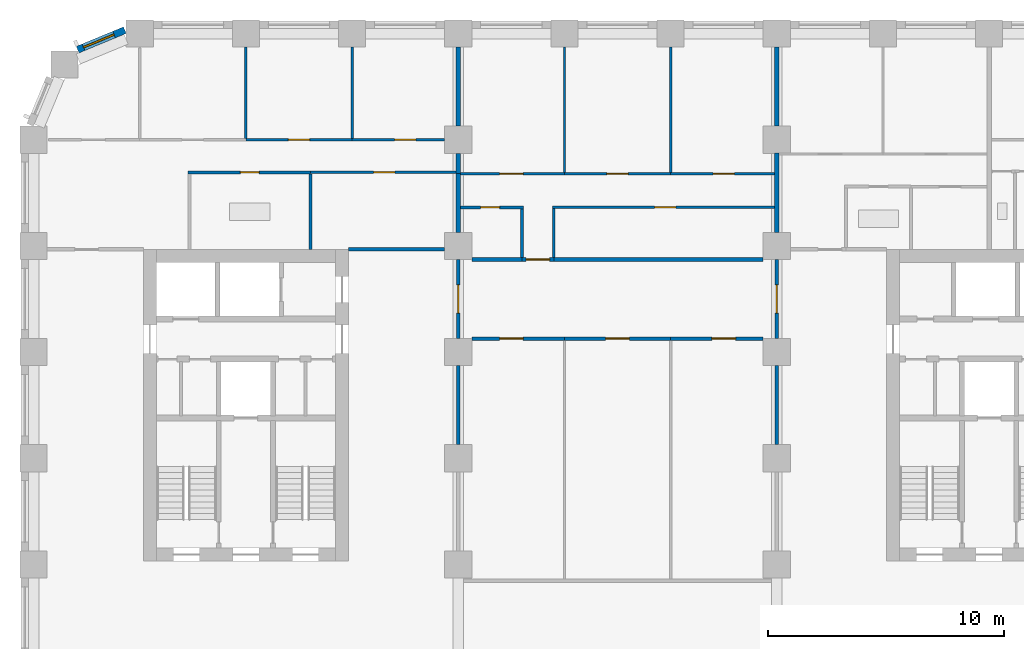
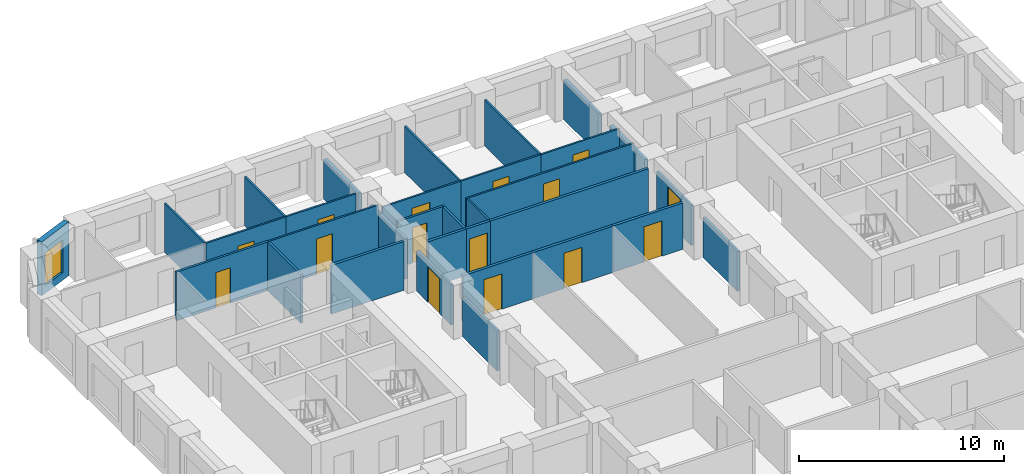
# One storey, part 7 of 13: 33 walls, 15 doors, 1 window, 16 openings.
"""IFC4 building model written with IfcOpenShell, lengths in metres."""

from ifc_helpers import new_model, si_unit, direction, frame, frame_2d, origin, place, context, subcontext, project, spatial, rectangle, extrude, material, layer, layer_set, type_object, element, fill, save


model = new_model("IFC4")

# Units and contexts
model_context = context("Model", 3, precision=1e-05, world=origin(), true_north=direction((0.0, 1.0)))
body_context = subcontext(model_context, "Body", "Model", "MODEL_VIEW")
ifc_project = project(units=[si_unit("LENGTHUNIT", "METRE"), si_unit("AREAUNIT", "SQUARE_METRE"), si_unit("VOLUMEUNIT", "CUBIC_METRE"), si_unit("PLANEANGLEUNIT", "RADIAN"), si_unit("MASSUNIT", "GRAM", prefix="KILO")], contexts=[model_context])

# Site, building, storey
site_placement = place(None, origin())
site = spatial("IfcSite", under=ifc_project, at=site_placement, CompositionType="ELEMENT")
building_placement = place(site_placement, origin())
building = spatial("IfcBuilding", under=site, at=building_placement, Name="Girih Gate Residences", CompositionType="ELEMENT")
storey_placement = place(building_placement, frame((0.0, 0.0, 92.800048828125)))
storey = spatial("IfcBuildingStorey", under=building, at=storey_placement, Name="L25", CompositionType="ELEMENT", Elevation=92.800048828125)

# Walls
ifc_material_1 = material(Name="Gypsum board on steel studs", Category="steel")
ifc_layer_1 = layer(ifc_material_1, 0.14990234375)
ifc_layer_set_1 = layer_set([ifc_layer_1], Name="Compartment wall 150 mm")
wall_type_1 = type_object("IfcWallType", Name="Compartment wall 150 mm", PredefinedType="PARTITIONING", material=ifc_layer_set_1)
wall_1_placement = place(storey_placement, frame((13.35009765625, 40.35009765625, 0.0), z_axis=(0.0, 0.0, 1.0), x_axis=(1.0, 0.0, 0.0)))
element("IfcWall", 1, at=wall_1_placement, inside=storey, type_object=wall_type_1, Name="L25 partition", PredefinedType="PARTITIONING", context=body_context, shape_type="SweptSolid", body=[
    extrude(rectangle(XDim=4.074951171875, YDim=0.14990234375, at=frame_2d((2.03759765625, 0.0))), origin(), (0.0, 0.0, 1.0), 2.89990234375),
])
wall_2_placement = place(storey_placement, frame((18.574951171875, 39.925048828125, 0.0), z_axis=(0.0, 0.0, 1.0), x_axis=(1.0, 0.0, 0.0)))
element("IfcWall", 2, at=wall_2_placement, inside=storey, type_object=wall_type_1, Name="L25 partition", PredefinedType="PARTITIONING", context=body_context, shape_type="SweptSolid", body=[
    extrude(rectangle(XDim=2.125, YDim=0.14990234375, at=frame_2d((1.0625, 0.0))), origin(), (0.0, 0.0, 1.0), 2.75),
])

# Wall, opening, door
wall_3_placement = place(storey_placement, frame((20.699951171875, 39.925048828125, 0.0), z_axis=(0.0, 0.0, 1.0), x_axis=(1.0, 0.0, 0.0)))
wall_3 = element("IfcWall", 3, at=wall_3_placement, inside=storey, type_object=wall_type_1, Name="L25 partition", PredefinedType="PARTITIONING", context=body_context, shape_type="SweptSolid", body=[
    extrude(rectangle(XDim=1.35009765625, YDim=0.14990234375, at=frame_2d((0.675048828125, 0.0))), origin(), (0.0, 0.0, 1.0), 2.75),
])
opening_1_placement = place(wall_3_placement, frame((0.175048828125, 0.0, 0.0)))
opening_1 = element("IfcOpeningElement", 4, at=opening_1_placement, cuts=wall_3, Name="Opening A25-040", PredefinedType="OPENING", context=body_context, shape_type="SweptSolid", body=[
    extrude(rectangle(XDim=1.0, YDim=2.10009765625, at=frame_2d((0.5, 1.050048828125))), frame((0.0, 0.0849609375, 0.0), z_axis=(0.0, -1.0, 0.0), x_axis=(1.0, 0.0, 0.0)), (0.0, 0.0, 1.0), 0.169921875),
])
ifc_material_2 = material(Name="Timber, fire-rated core", Category="wood")
door_type_1 = type_object("IfcDoorType", Name="Flat entrance door 1000x2100 FD30S", OperationType="NOTDEFINED", PredefinedType="DOOR", material=ifc_material_2)
door_1_placement = place(opening_1_placement, origin())
door_1 = element("IfcDoor", 5, at=door_1_placement, inside=storey, type_object=door_type_1, Name="Door A25-040", OperationType="SINGLE_SWING_RIGHT", OverallHeight=2.10009765625, OverallWidth=1.0, PredefinedType="DOOR", context=body_context, shape_type="SweptSolid", body=[
    extrude(rectangle(XDim=1.0, YDim=2.10009765625, at=frame_2d((0.5, 1.050048828125))), frame((0.0, 0.02490234375, 0.0), z_axis=(0.0, -1.0, 0.0), x_axis=(1.0, 0.0, 0.0)), (0.0, 0.0, 1.0), 0.050048828125),
])
fill(opening_1, door_1)

# Wall
wall_4_placement = place(storey_placement, frame((22.050048828125, 39.925048828125, 0.0), z_axis=(0.0, 0.0, 1.0), x_axis=(1.0, 0.0, 0.0)))
element("IfcWall", 6, at=wall_4_placement, inside=storey, type_object=wall_type_1, Name="L25 partition", PredefinedType="PARTITIONING", context=body_context, shape_type="SweptSolid", body=[
    extrude(rectangle(XDim=8.875, YDim=0.14990234375, at=frame_2d((4.4375, 0.0))), origin(), (0.0, 0.0, 1.0), 2.75),
])

# Wall, opening, door
wall_5_placement = place(storey_placement, frame((22.5, 36.574951171875, 0.0), z_axis=(0.0, 0.0, 1.0), x_axis=(-1.0, 0.0, 0.0)))
wall_5 = element("IfcWall", 7, at=wall_5_placement, inside=storey, type_object=wall_type_1, Name="L25 partition", PredefinedType="PARTITIONING", context=body_context, shape_type="SweptSolid", body=[
    extrude(rectangle(XDim=3.925048828125, YDim=0.14990234375, at=frame_2d((1.96240234375, 0.0))), origin(), (0.0, 0.0, 1.0), 2.75),
])
opening_2_placement = place(wall_5_placement, frame((1.75, 0.0, 0.0)))
opening_2 = element("IfcOpeningElement", 8, at=opening_2_placement, cuts=wall_5, Name="Opening A25-041", PredefinedType="OPENING", context=body_context, shape_type="SweptSolid", body=[
    extrude(rectangle(XDim=1.0, YDim=2.10009765625, at=frame_2d((0.5, 1.050048828125))), frame((0.0, 0.0849609375, 0.0), z_axis=(0.0, -1.0, 0.0), x_axis=(1.0, 0.0, 0.0)), (0.0, 0.0, 1.0), 0.169921875),
])
door_type_2 = type_object("IfcDoorType", Name="Amenity room door 1000x2100 FD30S", OperationType="NOTDEFINED", PredefinedType="DOOR", material=ifc_material_2)
door_2_placement = place(opening_2_placement, origin())
door_2 = element("IfcDoor", 9, at=door_2_placement, inside=storey, type_object=door_type_2, Name="Door A25-041", OperationType="SINGLE_SWING_RIGHT", OverallHeight=2.10009765625, OverallWidth=1.0, PredefinedType="DOOR", context=body_context, shape_type="SweptSolid", body=[
    extrude(rectangle(XDim=1.0, YDim=2.10009765625, at=frame_2d((0.5, 1.050048828125))), frame((0.0, 0.02490234375, 0.0), z_axis=(0.0, -1.0, 0.0), x_axis=(1.0, 0.0, 0.0)), (0.0, 0.0, 1.0), 0.050048828125),
])
fill(opening_2, door_2)

wall_6_placement = place(storey_placement, frame((27.0, 36.574951171875, 0.0), z_axis=(0.0, 0.0, 1.0), x_axis=(-1.0, 0.0, 0.0)))
wall_6 = element("IfcWall", 10, at=wall_6_placement, inside=storey, type_object=wall_type_1, Name="L25 partition", PredefinedType="PARTITIONING", context=body_context, shape_type="SweptSolid", body=[
    extrude(rectangle(XDim=4.5, YDim=0.14990234375, at=frame_2d((2.25, 0.0))), origin(), (0.0, 0.0, 1.0), 2.75),
])
opening_3_placement = place(wall_6_placement, frame((1.75, 0.0, 0.0)))
opening_3 = element("IfcOpeningElement", 11, at=opening_3_placement, cuts=wall_6, Name="Opening A25-042", PredefinedType="OPENING", context=body_context, shape_type="SweptSolid", body=[
    extrude(rectangle(XDim=1.0, YDim=2.10009765625, at=frame_2d((0.5, 1.050048828125))), frame((0.0, 0.0849609375, 0.0), z_axis=(0.0, -1.0, 0.0), x_axis=(1.0, 0.0, 0.0)), (0.0, 0.0, 1.0), 0.169921875),
])
door_3_placement = place(opening_3_placement, origin())
door_3 = element("IfcDoor", 12, at=door_3_placement, inside=storey, type_object=door_type_2, Name="Door A25-042", OperationType="SINGLE_SWING_RIGHT", OverallHeight=2.10009765625, OverallWidth=1.0, PredefinedType="DOOR", context=body_context, shape_type="SweptSolid", body=[
    extrude(rectangle(XDim=1.0, YDim=2.10009765625, at=frame_2d((0.5, 1.050048828125))), frame((0.0, 0.02490234375, 0.0), z_axis=(0.0, -1.0, 0.0), x_axis=(1.0, 0.0, 0.0)), (0.0, 0.0, 1.0), 0.050048828125),
])
fill(opening_3, door_3)

wall_7_placement = place(storey_placement, frame((30.925048828125, 36.574951171875, 0.0), z_axis=(0.0, 0.0, 1.0), x_axis=(-1.0, 0.0, 0.0)))
wall_7 = element("IfcWall", 13, at=wall_7_placement, inside=storey, type_object=wall_type_1, Name="L25 partition", PredefinedType="PARTITIONING", context=body_context, shape_type="SweptSolid", body=[
    extrude(rectangle(XDim=3.925048828125, YDim=0.14990234375, at=frame_2d((1.96240234375, 0.0))), origin(), (0.0, 0.0, 1.0), 2.75),
])
opening_4_placement = place(wall_7_placement, frame((1.175048828125, 0.0, 0.0)))
opening_4 = element("IfcOpeningElement", 14, at=opening_4_placement, cuts=wall_7, Name="Opening A25-043", PredefinedType="OPENING", context=body_context, shape_type="SweptSolid", body=[
    extrude(rectangle(XDim=1.0, YDim=2.10009765625, at=frame_2d((0.5, 1.050048828125))), frame((0.0, 0.0849609375, 0.0), z_axis=(0.0, -1.0, 0.0), x_axis=(1.0, 0.0, 0.0)), (0.0, 0.0, 1.0), 0.169921875),
])
door_4_placement = place(opening_4_placement, origin())
door_4 = element("IfcDoor", 15, at=door_4_placement, inside=storey, type_object=door_type_2, Name="Door A25-043", OperationType="SINGLE_SWING_LEFT", OverallHeight=2.10009765625, OverallWidth=1.0, PredefinedType="DOOR", context=body_context, shape_type="SweptSolid", body=[
    extrude(rectangle(XDim=1.0, YDim=2.10009765625, at=frame_2d((0.5, 1.050048828125))), frame((0.0, 0.02490234375, 0.0), z_axis=(0.0, -1.0, 0.0), x_axis=(1.0, 0.0, 0.0)), (0.0, 0.0, 1.0), 0.050048828125),
])
fill(opening_4, door_4)

wall_8_placement = place(storey_placement, frame((31.5, 36.574951171875, 0.0), z_axis=(0.0, 0.0, 1.0), x_axis=(0.0, 1.0, 0.0)))
wall_8 = element("IfcWall", 16, at=wall_8_placement, inside=storey, type_object=wall_type_1, Name="L25 partition", PredefinedType="PARTITIONING", context=body_context, shape_type="SweptSolid", body=[
    extrude(rectangle(XDim=3.35009765625, YDim=0.14990234375, at=frame_2d((1.675048828125, 0.0))), origin(), (0.0, 0.0, 1.0), 2.3798828125),
])
opening_5_placement = place(wall_8_placement, frame((1.074951171875, 0.0, 0.0)))
opening_5 = element("IfcOpeningElement", 17, at=opening_5_placement, cuts=wall_8, Name="Opening A25-044", PredefinedType="OPENING", context=body_context, shape_type="SweptSolid", body=[
    extrude(rectangle(XDim=1.199951171875, YDim=2.10009765625, at=frame_2d((0.60009765625, 1.050048828125))), frame((0.0, 0.0849609375, 0.0), z_axis=(0.0, -1.0, 0.0), x_axis=(1.0, 0.0, 0.0)), (0.0, 0.0, 1.0), 0.169921875),
])
door_type_3 = type_object("IfcDoorType", Name="Corridor fire door 1200x2100 FD30S", OperationType="NOTDEFINED", PredefinedType="DOOR", material=ifc_material_2)
door_5_placement = place(opening_5_placement, origin())
door_5 = element("IfcDoor", 18, at=door_5_placement, inside=storey, type_object=door_type_3, Name="Door A25-044", OperationType="SINGLE_SWING_LEFT", OverallHeight=2.10009765625, OverallWidth=1.199951171875, PredefinedType="DOOR", context=body_context, shape_type="SweptSolid", body=[
    extrude(rectangle(XDim=1.199951171875, YDim=2.10009765625, at=frame_2d((0.60009765625, 1.050048828125))), frame((0.0, 0.02490234375, 0.0), z_axis=(0.0, -1.0, 0.0), x_axis=(1.0, 0.0, 0.0)), (0.0, 0.0, 1.0), 0.050048828125),
])
fill(opening_5, door_5)

wall_9_placement = place(storey_placement, frame((18.0, 39.925048828125, 0.0), z_axis=(0.0, 0.0, 1.0), x_axis=(0.0, -1.0, 0.0)))
wall_9 = element("IfcWall", 19, at=wall_9_placement, inside=storey, type_object=wall_type_1, Name="L25 partition", PredefinedType="PARTITIONING", context=body_context, shape_type="SweptSolid", body=[
    extrude(rectangle(XDim=3.35009765625, YDim=0.14990234375, at=frame_2d((1.675048828125, 0.0))), origin(), (0.0, 0.0, 1.0), 2.3798828125),
])
opening_6_placement = place(wall_9_placement, frame((1.074951171875, 0.0, 0.0)))
opening_6 = element("IfcOpeningElement", 20, at=opening_6_placement, cuts=wall_9, Name="Opening A25-045", PredefinedType="OPENING", context=body_context, shape_type="SweptSolid", body=[
    extrude(rectangle(XDim=1.199951171875, YDim=2.10009765625, at=frame_2d((0.60009765625, 1.050048828125))), frame((0.0, 0.0849609375, 0.0), z_axis=(0.0, -1.0, 0.0), x_axis=(1.0, 0.0, 0.0)), (0.0, 0.0, 1.0), 0.169921875),
])
door_6_placement = place(opening_6_placement, origin())
door_6 = element("IfcDoor", 21, at=door_6_placement, inside=storey, type_object=door_type_3, Name="Door A25-045", OperationType="SINGLE_SWING_LEFT", OverallHeight=2.10009765625, OverallWidth=1.199951171875, PredefinedType="DOOR", context=body_context, shape_type="SweptSolid", body=[
    extrude(rectangle(XDim=1.199951171875, YDim=2.10009765625, at=frame_2d((0.60009765625, 1.050048828125))), frame((0.0, 0.02490234375, 0.0), z_axis=(0.0, -1.0, 0.0), x_axis=(1.0, 0.0, 0.0)), (0.0, 0.0, 1.0), 0.050048828125),
])
fill(opening_6, door_6)

# Walls
for number, where, z_axis, x_axis, name in (
    (22, (18.0, 32.074951171875, 0.0), (0.0, 0.0, 1.0), (0.0, 1.0, 0.0), "L25 partition"),
    (23, (31.5, 32.074951171875, 0.0), (0.0, 0.0, 1.0), (0.0, 1.0, 0.0), "L25 partition"),
):
    element("IfcWall", number, at=place(storey_placement, frame(where, z_axis=z_axis, x_axis=x_axis)), inside=storey, type_object=wall_type_1, Name=name, PredefinedType="PARTITIONING", context=body_context, shape_type="SweptSolid", body=[
        extrude(rectangle(XDim=3.35009765625, YDim=0.14990234375, at=frame_2d((1.675048828125, 0.0))), origin(), (0.0, 0.0, 1.0), 2.3798828125),
    ])
ifc_layer_2 = layer(ifc_material_1, 0.10009765625)
ifc_layer_set_2 = layer_set([ifc_layer_2], Name="Partition 100 mm")
wall_type_2 = type_object("IfcWallType", Name="Partition 100 mm", PredefinedType="PARTITIONING", material=ifc_layer_set_2)
for number, where, z_axis, x_axis, name in (
    (24, (9.0, 45.050048828125, 0.0), (0.0, 0.0, 1.0), (0.0, 1.0, 0.0), "L25 partition"),
    (25, (13.5, 45.050048828125, 0.0), (0.0, 0.0, 1.0), (0.0, 1.0, 0.0), "L25 partition"),
):
    element("IfcWall", number, at=place(storey_placement, frame(where, z_axis=z_axis, x_axis=x_axis)), inside=storey, type_object=wall_type_2, Name=name, PredefinedType="PARTITIONING", context=body_context, shape_type="SweptSolid", body=[
        extrude(rectangle(XDim=3.875, YDim=0.10009765625, at=frame_2d((1.9375, 0.0))), origin(), (0.0, 0.0, 1.0), 2.89990234375),
    ])

# Wall, opening, door
wall_10_placement = place(storey_placement, frame((9.0, 45.0, 0.0), z_axis=(0.0, 0.0, 1.0), x_axis=(1.0, 0.0, 0.0)))
wall_10 = element("IfcWall", 26, at=wall_10_placement, inside=storey, type_object=wall_type_2, Name="L25 partition", PredefinedType="PARTITIONING", context=body_context, shape_type="SweptSolid", body=[
    extrude(rectangle(XDim=4.5, YDim=0.10009765625, at=frame_2d((2.25, 0.0))), origin(), (0.0, 0.0, 1.0), 2.89990234375),
])
opening_7_placement = place(wall_10_placement, frame((1.800048828125, 0.0, 0.0)))
opening_7 = element("IfcOpeningElement", 27, at=opening_7_placement, cuts=wall_10, Name="Opening A25-010", PredefinedType="OPENING", context=body_context, shape_type="SweptSolid", body=[
    extrude(rectangle(XDim=0.89990234375, YDim=2.10009765625, at=frame_2d((0.449951171875, 1.050048828125))), frame((0.0, 0.06005859375, 0.0), z_axis=(0.0, -1.0, 0.0), x_axis=(1.0, 0.0, 0.0)), (0.0, 0.0, 1.0), 0.1201171875),
])
ifc_material_3 = material(Name="Timber", Category="wood")
door_type_4 = type_object("IfcDoorType", Name="Bedroom door 900x2100", OperationType="NOTDEFINED", PredefinedType="DOOR", material=ifc_material_3)
door_7_placement = place(opening_7_placement, origin())
door_7 = element("IfcDoor", 28, at=door_7_placement, inside=storey, type_object=door_type_4, Name="Door A25-010", OperationType="SINGLE_SWING_LEFT", OverallHeight=2.10009765625, OverallWidth=0.89990234375, PredefinedType="DOOR", context=body_context, shape_type="SweptSolid", body=[
    extrude(rectangle(XDim=0.89990234375, YDim=2.10009765625, at=frame_2d((0.449951171875, 1.050048828125))), frame((0.0, 0.02490234375, 0.0), z_axis=(0.0, -1.0, 0.0), x_axis=(1.0, 0.0, 0.0)), (0.0, 0.0, 1.0), 0.050048828125),
])
fill(opening_7, door_7)

wall_11_placement = place(storey_placement, frame((13.5, 45.0, 0.0), z_axis=(0.0, 0.0, 1.0), x_axis=(1.0, 0.0, 0.0)))
wall_11 = element("IfcWall", 29, at=wall_11_placement, inside=storey, type_object=wall_type_2, Name="L25 partition", PredefinedType="PARTITIONING", context=body_context, shape_type="SweptSolid", body=[
    extrude(rectangle(XDim=3.925048828125, YDim=0.10009765625, at=frame_2d((1.96240234375, 0.0))), origin(), (0.0, 0.0, 1.0), 2.89990234375),
])
opening_8_placement = place(wall_11_placement, frame((1.800048828125, 0.0, 0.0)))
opening_8 = element("IfcOpeningElement", 30, at=opening_8_placement, cuts=wall_11, Name="Opening A25-011", PredefinedType="OPENING", context=body_context, shape_type="SweptSolid", body=[
    extrude(rectangle(XDim=0.89990234375, YDim=2.10009765625, at=frame_2d((0.449951171875, 1.050048828125))), frame((0.0, 0.06005859375, 0.0), z_axis=(0.0, -1.0, 0.0), x_axis=(1.0, 0.0, 0.0)), (0.0, 0.0, 1.0), 0.1201171875),
])
door_8_placement = place(opening_8_placement, origin())
door_8 = element("IfcDoor", 31, at=door_8_placement, inside=storey, type_object=door_type_4, Name="Door A25-011", OperationType="SINGLE_SWING_RIGHT", OverallHeight=2.10009765625, OverallWidth=0.89990234375, PredefinedType="DOOR", context=body_context, shape_type="SweptSolid", body=[
    extrude(rectangle(XDim=0.89990234375, YDim=2.10009765625, at=frame_2d((0.449951171875, 1.050048828125))), frame((0.0, 0.02490234375, 0.0), z_axis=(0.0, -1.0, 0.0), x_axis=(1.0, 0.0, 0.0)), (0.0, 0.0, 1.0), 0.050048828125),
])
fill(opening_8, door_8)

wall_12_placement = place(storey_placement, frame((17.89990234375, 43.6201171875, 0.0), z_axis=(0.0, 0.0, 1.0), x_axis=(-1.0, 0.0, 0.0)))
wall_12 = element("IfcWall", 32, at=wall_12_placement, inside=storey, type_object=wall_type_2, Name="L25 partition", PredefinedType="PARTITIONING", context=body_context, shape_type="SweptSolid", body=[
    extrude(rectangle(XDim=6.171875, YDim=0.10009765625, at=frame_2d((3.0859375, 0.0))), origin(), (0.0, 0.0, 1.0), 2.89990234375),
])
opening_9_placement = place(wall_12_placement, frame((2.5859375, 0.0, 0.0)))
opening_9 = element("IfcOpeningElement", 33, at=opening_9_placement, cuts=wall_12, Name="Opening A25-012", PredefinedType="OPENING", context=body_context, shape_type="SweptSolid", body=[
    extrude(rectangle(XDim=0.89990234375, YDim=2.10009765625, at=frame_2d((0.449951171875, 1.050048828125))), frame((0.0, 0.06005859375, 0.0), z_axis=(0.0, -1.0, 0.0), x_axis=(1.0, 0.0, 0.0)), (0.0, 0.0, 1.0), 0.1201171875),
])
door_type_5 = type_object("IfcDoorType", Name="Kitchen door 900x2100", OperationType="NOTDEFINED", PredefinedType="DOOR", material=ifc_material_3)
door_9_placement = place(opening_9_placement, origin())
door_9 = element("IfcDoor", 34, at=door_9_placement, inside=storey, type_object=door_type_5, Name="Door A25-012", OperationType="SINGLE_SWING_LEFT", OverallHeight=2.10009765625, OverallWidth=0.89990234375, PredefinedType="DOOR", context=body_context, shape_type="SweptSolid", body=[
    extrude(rectangle(XDim=0.89990234375, YDim=2.10009765625, at=frame_2d((0.449951171875, 1.050048828125))), frame((0.0, 0.02490234375, 0.0), z_axis=(0.0, -1.0, 0.0), x_axis=(1.0, 0.0, 0.0)), (0.0, 0.0, 1.0), 0.050048828125),
])
fill(opening_9, door_9)

# Wall
wall_13_placement = place(storey_placement, frame((27.0, 43.60498046875, 0.0), z_axis=(0.0, 0.0, 1.0), x_axis=(0.0, 1.0, 0.0)))
element("IfcWall", 35, at=wall_13_placement, inside=storey, type_object=wall_type_2, Name="L25 partition", PredefinedType="PARTITIONING", context=body_context, shape_type="SweptSolid", body=[
    extrude(rectangle(XDim=5.320068359375, YDim=0.10009765625, at=frame_2d((2.66015625, 0.0))), origin(), (0.0, 0.0, 1.0), 2.75),
])

# Wall, opening, door
wall_14_placement = place(storey_placement, frame((22.5, 43.554931640625, 0.0), z_axis=(0.0, 0.0, 1.0), x_axis=(1.0, 0.0, 0.0)))
wall_14 = element("IfcWall", 36, at=wall_14_placement, inside=storey, type_object=wall_type_2, Name="L25 partition", PredefinedType="PARTITIONING", context=body_context, shape_type="SweptSolid", body=[
    extrude(rectangle(XDim=4.5, YDim=0.10009765625, at=frame_2d((2.25, 0.0))), origin(), (0.0, 0.0, 1.0), 2.75),
])
opening_10_placement = place(wall_14_placement, frame((1.800048828125, 0.0, 0.0)))
opening_10 = element("IfcOpeningElement", 37, at=opening_10_placement, cuts=wall_14, Name="Opening A25-036", PredefinedType="OPENING", context=body_context, shape_type="SweptSolid", body=[
    extrude(rectangle(XDim=0.89990234375, YDim=2.10009765625, at=frame_2d((0.449951171875, 1.050048828125))), frame((0.0, 0.06005859375, 0.0), z_axis=(0.0, -1.0, 0.0), x_axis=(1.0, 0.0, 0.0)), (0.0, 0.0, 1.0), 0.1201171875),
])
door_10_placement = place(opening_10_placement, origin())
door_10 = element("IfcDoor", 38, at=door_10_placement, inside=storey, type_object=door_type_4, Name="Door A25-036", OperationType="SINGLE_SWING_LEFT", OverallHeight=2.10009765625, OverallWidth=0.89990234375, PredefinedType="DOOR", context=body_context, shape_type="SweptSolid", body=[
    extrude(rectangle(XDim=0.89990234375, YDim=2.10009765625, at=frame_2d((0.449951171875, 1.050048828125))), frame((0.0, 0.02490234375, 0.0), z_axis=(0.0, -1.0, 0.0), x_axis=(1.0, 0.0, 0.0)), (0.0, 0.0, 1.0), 0.050048828125),
])
fill(opening_10, door_10)

# Wall
wall_15_placement = place(storey_placement, frame((22.5, 43.60498046875, 0.0), z_axis=(0.0, 0.0, 1.0), x_axis=(0.0, 1.0, 0.0)))
element("IfcWall", 39, at=wall_15_placement, inside=storey, type_object=wall_type_2, Name="L25 partition", PredefinedType="PARTITIONING", context=body_context, shape_type="SweptSolid", body=[
    extrude(rectangle(XDim=5.320068359375, YDim=0.10009765625, at=frame_2d((2.66015625, 0.0))), origin(), (0.0, 0.0, 1.0), 2.75),
])

# Wall, opening, door
wall_16_placement = place(storey_placement, frame((27.0, 43.554931640625, 0.0), z_axis=(0.0, 0.0, 1.0), x_axis=(1.0, 0.0, 0.0)))
wall_16 = element("IfcWall", 40, at=wall_16_placement, inside=storey, type_object=wall_type_2, Name="L25 partition", PredefinedType="PARTITIONING", context=body_context, shape_type="SweptSolid", body=[
    extrude(rectangle(XDim=4.39990234375, YDim=0.10009765625, at=frame_2d((2.199951171875, 0.0))), origin(), (0.0, 0.0, 1.0), 2.75),
])
opening_11_placement = place(wall_16_placement, frame((1.800048828125, 0.0, 0.0)))
opening_11 = element("IfcOpeningElement", 41, at=opening_11_placement, cuts=wall_16, Name="Opening A25-037", PredefinedType="OPENING", context=body_context, shape_type="SweptSolid", body=[
    extrude(rectangle(XDim=0.89990234375, YDim=2.10009765625, at=frame_2d((0.449951171875, 1.050048828125))), frame((0.0, 0.06005859375, 0.0), z_axis=(0.0, -1.0, 0.0), x_axis=(1.0, 0.0, 0.0)), (0.0, 0.0, 1.0), 0.1201171875),
])
door_11_placement = place(opening_11_placement, origin())
door_11 = element("IfcDoor", 42, at=door_11_placement, inside=storey, type_object=door_type_4, Name="Door A25-037", OperationType="SINGLE_SWING_RIGHT", OverallHeight=2.10009765625, OverallWidth=0.89990234375, PredefinedType="DOOR", context=body_context, shape_type="SweptSolid", body=[
    extrude(rectangle(XDim=0.89990234375, YDim=2.10009765625, at=frame_2d((0.449951171875, 1.050048828125))), frame((0.0, 0.02490234375, 0.0), z_axis=(0.0, -1.0, 0.0), x_axis=(1.0, 0.0, 0.0)), (0.0, 0.0, 1.0), 0.050048828125),
])
fill(opening_11, door_11)

wall_17_placement = place(storey_placement, frame((31.39990234375, 42.135009765625, 0.0), z_axis=(0.0, 0.0, 1.0), x_axis=(-1.0, 0.0, 0.0)))
wall_17 = element("IfcWall", 43, at=wall_17_placement, inside=storey, type_object=wall_type_2, Name="L25 partition", PredefinedType="PARTITIONING", context=body_context, shape_type="SweptSolid", body=[
    extrude(rectangle(XDim=9.39990234375, YDim=0.10009765625, at=frame_2d((4.699951171875, 0.0))), origin(), (0.0, 0.0, 1.0), 2.75),
])
opening_12_placement = place(wall_17_placement, frame((4.175048828125, 0.0, 0.0)))
opening_12 = element("IfcOpeningElement", 44, at=opening_12_placement, cuts=wall_17, Name="Opening A25-038", PredefinedType="OPENING", context=body_context, shape_type="SweptSolid", body=[
    extrude(rectangle(XDim=0.89990234375, YDim=2.10009765625, at=frame_2d((0.449951171875, 1.050048828125))), frame((0.0, 0.06005859375, 0.0), z_axis=(0.0, -1.0, 0.0), x_axis=(1.0, 0.0, 0.0)), (0.0, 0.0, 1.0), 0.1201171875),
])
door_12_placement = place(opening_12_placement, origin())
door_12 = element("IfcDoor", 45, at=door_12_placement, inside=storey, type_object=door_type_5, Name="Door A25-038", OperationType="SINGLE_SWING_LEFT", OverallHeight=2.10009765625, OverallWidth=0.89990234375, PredefinedType="DOOR", context=body_context, shape_type="SweptSolid", body=[
    extrude(rectangle(XDim=0.89990234375, YDim=2.10009765625, at=frame_2d((0.449951171875, 1.050048828125))), frame((0.0, 0.02490234375, 0.0), z_axis=(0.0, -1.0, 0.0), x_axis=(1.0, 0.0, 0.0)), (0.0, 0.0, 1.0), 0.050048828125),
])
fill(opening_12, door_12)

# Wall
wall_18_placement = place(storey_placement, frame((22.050048828125, 40.0, 0.0), z_axis=(0.0, 0.0, 1.0), x_axis=(0.0, 1.0, 0.0)))
element("IfcWall", 46, at=wall_18_placement, inside=storey, type_object=wall_type_2, Name="L25 partition", PredefinedType="PARTITIONING", context=body_context, shape_type="SweptSolid", body=[
    extrude(rectangle(XDim=2.0849609375, YDim=0.10009765625, at=frame_2d((1.04248046875, 0.0))), origin(), (0.0, 0.0, 1.0), 2.75),
])

# Wall, opening, door
wall_19_placement = place(storey_placement, frame((18.10009765625, 43.554931640625, 0.0), z_axis=(0.0, 0.0, 1.0), x_axis=(1.0, 0.0, 0.0)))
wall_19 = element("IfcWall", 47, at=wall_19_placement, inside=storey, type_object=wall_type_2, Name="L25 partition", PredefinedType="PARTITIONING", context=body_context, shape_type="SweptSolid", body=[
    extrude(rectangle(XDim=4.39990234375, YDim=0.10009765625, at=frame_2d((2.199951171875, 0.0))), origin(), (0.0, 0.0, 1.0), 2.75),
])
opening_13_placement = place(wall_19_placement, frame((1.64990234375, 0.0, 0.0)))
opening_13 = element("IfcOpeningElement", 48, at=opening_13_placement, cuts=wall_19, Name="Opening A25-039", PredefinedType="OPENING", context=body_context, shape_type="SweptSolid", body=[
    extrude(rectangle(XDim=1.0, YDim=2.10009765625, at=frame_2d((0.5, 1.050048828125))), frame((0.0, 0.06005859375, 0.0), z_axis=(0.0, -1.0, 0.0), x_axis=(1.0, 0.0, 0.0)), (0.0, 0.0, 1.0), 0.1201171875),
])
door_type_6 = type_object("IfcDoorType", Name="Living room door 1000x2100", OperationType="NOTDEFINED", PredefinedType="DOOR", material=ifc_material_3)
door_13_placement = place(opening_13_placement, origin())
door_13 = element("IfcDoor", 49, at=door_13_placement, inside=storey, type_object=door_type_6, Name="Door A25-039", OperationType="SINGLE_SWING_LEFT", OverallHeight=2.10009765625, OverallWidth=1.0, PredefinedType="DOOR", context=body_context, shape_type="SweptSolid", body=[
    extrude(rectangle(XDim=1.0, YDim=2.10009765625, at=frame_2d((0.5, 1.050048828125))), frame((0.0, 0.02490234375, 0.0), z_axis=(0.0, -1.0, 0.0), x_axis=(1.0, 0.0, 0.0)), (0.0, 0.0, 1.0), 0.050048828125),
])
fill(opening_13, door_13)

# Walls
ifc_layer_3 = layer(ifc_material_1, 0.199951171875)
ifc_layer_set_3 = layer_set([ifc_layer_3], Name="Party wall 200 mm")
wall_type_3 = type_object("IfcWallType", Name="Party wall 200 mm", PredefinedType="PARTITIONING", material=ifc_layer_set_3)
wall_20_placement = place(storey_placement, frame((18.0, 45.574951171875, 0.0), z_axis=(0.0, 0.0, 1.0), x_axis=(0.0, 1.0, 0.0)))
element("IfcWall", 50, at=wall_20_placement, inside=storey, type_object=wall_type_3, Name="L25 partition", PredefinedType="PARTITIONING", context=body_context, shape_type="SweptSolid", body=[
    extrude(rectangle(XDim=3.35009765625, YDim=0.199951171875, at=frame_2d((1.675048828125, 0.0))), origin(), (0.0, 0.0, 1.0), 2.3798828125),
])
wall_21_placement = place(storey_placement, frame((18.0, 43.570068359375, 0.0), z_axis=(0.0, 0.0, 1.0), x_axis=(0.0, 1.0, 0.0)))
element("IfcWall", 51, at=wall_21_placement, inside=storey, type_object=wall_type_3, Name="L25 partition", PredefinedType="PARTITIONING", context=body_context, shape_type="SweptSolid", body=[
    extrude(rectangle(XDim=0.85498046875, YDim=0.199951171875, at=frame_2d((0.427490234375, 0.0))), origin(), (0.0, 0.0, 1.0), 2.3798828125),
])
wall_22_placement = place(storey_placement, frame((18.0, 41.074951171875, 0.0), z_axis=(0.0, 0.0, 1.0), x_axis=(0.0, 1.0, 0.0)))
element("IfcWall", 52, at=wall_22_placement, inside=storey, type_object=wall_type_3, Name="L25 partition", PredefinedType="PARTITIONING", context=body_context, shape_type="SweptSolid", body=[
    extrude(rectangle(XDim=2.530029296875, YDim=0.199951171875, at=frame_2d((1.26513671875, 0.0))), origin(), (0.0, 0.0, 1.0), 2.3798828125),
])
wall_23_placement = place(storey_placement, frame((31.5, 41.074951171875, 0.0), z_axis=(0.0, 0.0, 1.0), x_axis=(0.0, 1.0, 0.0)))
element("IfcWall", 53, at=wall_23_placement, inside=storey, type_object=wall_type_3, Name="L25 partition", PredefinedType="PARTITIONING", context=body_context, shape_type="SweptSolid", body=[
    extrude(rectangle(XDim=3.3701171875, YDim=0.199951171875, at=frame_2d((1.68505859375, 0.0))), origin(), (0.0, 0.0, 1.0), 2.3798828125),
])
wall_24_placement = place(storey_placement, frame((31.5, 45.574951171875, 0.0), z_axis=(0.0, 0.0, 1.0), x_axis=(0.0, 1.0, 0.0)))
element("IfcWall", 54, at=wall_24_placement, inside=storey, type_object=wall_type_3, Name="L25 partition", PredefinedType="PARTITIONING", context=body_context, shape_type="SweptSolid", body=[
    extrude(rectangle(XDim=3.35009765625, YDim=0.199951171875, at=frame_2d((1.675048828125, 0.0))), origin(), (0.0, 0.0, 1.0), 2.3798828125),
])

# Wall, opening, window
ifc_material_4 = material(Name="Precast concrete C50/60", Category="concrete")
ifc_layer_4 = layer(ifc_material_4, 0.080078125, Name="Outer leaf")
ifc_material_5 = material(Name="Rigid PIR insulation")
ifc_layer_5 = layer(ifc_material_5, 0.14990234375, Name="Insulation")
ifc_material_6 = material(Name="Precast concrete C40/50", Category="concrete")
ifc_layer_6 = layer(ifc_material_6, 0.070068359375, Name="Inner leaf")
ifc_layer_set_4 = layer_set([ifc_layer_4, ifc_layer_5, ifc_layer_6], Name="Precast concrete C50/60 external wall 300")
wall_type_4 = type_object("IfcWallType", Name="Precast concrete C50/60 external wall 300", PredefinedType="SOLIDWALL", material=ifc_layer_set_4)
wall_25_placement = place(storey_placement, frame((1.86865234375, 48.81591796875, 0.0), z_axis=(0.0, 0.0, 1.0), x_axis=(0.923862802911, 0.382723818695, 0.0)))
wall_25 = element("IfcWall", 55, at=wall_25_placement, inside=storey, type_object=wall_type_4, Name="External wall NW0045_0495.0", PredefinedType="SOLIDWALL", context=body_context, shape_type="SweptSolid", body=[
    extrude(rectangle(XDim=2.163818359375, YDim=0.300048828125, at=frame_2d((1.08203125, 0.0))), origin(), (0.0, 0.0, 1.0), 3.199951171875),
])
opening_14_placement = place(wall_25_placement, frame((0.270751953125, 0.0, 0.449951171875)))
opening_14 = element("IfcOpeningElement", 56, at=opening_14_placement, cuts=wall_25, Name="Opening W-2D", PredefinedType="OPENING", context=body_context, shape_type="SweptSolid", body=[
    extrude(rectangle(XDim=1.39990234375, YDim=1.949951171875, at=frame_2d((0.699951171875, 0.97509765625))), frame((0.0, 0.159912109375, 0.0), z_axis=(0.0, -1.0, 0.0), x_axis=(1.0, 0.0, 0.0)), (0.0, 0.0, 1.0), 0.320068359375),
])
ifc_material_7 = material(Name="Double glazing in aluminium frame", Category="aluminium")
window_type = type_object("IfcWindowType", Name="Window W-2D 1400x1950", PartitioningType="SINGLE_PANEL", PredefinedType="WINDOW", material=ifc_material_7)
window_placement = place(opening_14_placement, origin())
window = element("IfcWindow", 57, at=window_placement, inside=storey, type_object=window_type, Name="Window W-2D NW0045_0495.0", OverallHeight=1.949951171875, OverallWidth=1.39990234375, PartitioningType="SINGLE_PANEL", PredefinedType="WINDOW", context=body_context, shape_type="SweptSolid", body=[
    extrude(rectangle(XDim=1.39990234375, YDim=1.949951171875, at=frame_2d((0.699951171875, 0.97509765625))), frame((0.0, 0.030029296875, 0.0), z_axis=(0.0, -1.0, 0.0), x_axis=(1.0, 0.0, 0.0)), (0.0, 0.0, 1.0), 0.06005859375),
])
fill(opening_14, window)

# Wall, opening, door
ifc_layer_7 = layer(ifc_material_1, 0.125)
ifc_layer_set_5 = layer_set([ifc_layer_7], Name="Wet room wall 125 mm")
wall_type_5 = type_object("IfcWallType", Name="Wet room wall 125 mm", PredefinedType="PARTITIONING", material=ifc_layer_set_5)
wall_26_placement = place(storey_placement, frame((11.72802734375, 43.6201171875, 0.0), z_axis=(0.0, 0.0, 1.0), x_axis=(-1.0, 0.0, 0.0)))
wall_26 = element("IfcWall", 58, at=wall_26_placement, inside=storey, type_object=wall_type_5, Name="L25 partition", PredefinedType="PARTITIONING", context=body_context, shape_type="SweptSolid", body=[
    extrude(rectangle(XDim=5.1904296875, YDim=0.125, at=frame_2d((2.59521484375, 0.0))), origin(), (0.0, 0.0, 1.0), 2.89990234375),
])
opening_15_placement = place(wall_26_placement, frame((2.1640625, 0.0, 0.0)))
opening_15 = element("IfcOpeningElement", 59, at=opening_15_placement, cuts=wall_26, Name="Opening A25-008", PredefinedType="OPENING", context=body_context, shape_type="SweptSolid", body=[
    extrude(rectangle(XDim=0.800048828125, YDim=2.10009765625, at=frame_2d((0.39990234375, 1.050048828125))), frame((0.0, 0.072509765625, 0.0), z_axis=(0.0, -1.0, 0.0), x_axis=(1.0, 0.0, 0.0)), (0.0, 0.0, 1.0), 0.14501953125),
])
door_type_7 = type_object("IfcDoorType", Name="Bathroom door 800x2100", OperationType="NOTDEFINED", PredefinedType="DOOR", material=ifc_material_3)
door_14_placement = place(opening_15_placement, origin())
door_14 = element("IfcDoor", 60, at=door_14_placement, inside=storey, type_object=door_type_7, Name="Door A25-008", OperationType="SINGLE_SWING_LEFT", OverallHeight=2.10009765625, OverallWidth=0.800048828125, PredefinedType="DOOR", context=body_context, shape_type="SweptSolid", body=[
    extrude(rectangle(XDim=0.800048828125, YDim=2.10009765625, at=frame_2d((0.39990234375, 1.050048828125))), frame((0.0, 0.02490234375, 0.0), z_axis=(0.0, -1.0, 0.0), x_axis=(1.0, 0.0, 0.0)), (0.0, 0.0, 1.0), 0.050048828125),
])
fill(opening_15, door_14)

# Wall
wall_27_placement = place(storey_placement, frame((11.72802734375, 40.35009765625, 0.0), z_axis=(0.0, 0.0, 1.0), x_axis=(0.0, 1.0, 0.0)))
element("IfcWall", 61, at=wall_27_placement, inside=storey, type_object=wall_type_5, Name="L25 partition", PredefinedType="PARTITIONING", context=body_context, shape_type="SweptSolid", body=[
    extrude(rectangle(XDim=3.20751953125, YDim=0.125, at=frame_2d((1.603759765625, 0.0))), origin(), (0.0, 0.0, 1.0), 2.89990234375),
])

# Wall, opening, door
wall_28_placement = place(storey_placement, frame((20.762451171875, 42.135009765625, 0.0), z_axis=(0.0, 0.0, 1.0), x_axis=(-1.0, 0.0, 0.0)))
wall_28 = element("IfcWall", 62, at=wall_28_placement, inside=storey, type_object=wall_type_5, Name="L25 partition", PredefinedType="PARTITIONING", context=body_context, shape_type="SweptSolid", body=[
    extrude(rectangle(XDim=2.662353515625, YDim=0.125, at=frame_2d((1.3310546875, 0.0))), origin(), (0.0, 0.0, 1.0), 2.75),
])
opening_16_placement = place(wall_28_placement, frame((1.012451171875, 0.0, 0.0)))
opening_16 = element("IfcOpeningElement", 63, at=opening_16_placement, cuts=wall_28, Name="Opening A25-035", PredefinedType="OPENING", context=body_context, shape_type="SweptSolid", body=[
    extrude(rectangle(XDim=0.800048828125, YDim=2.10009765625, at=frame_2d((0.39990234375, 1.050048828125))), frame((0.0, 0.072509765625, 0.0), z_axis=(0.0, -1.0, 0.0), x_axis=(1.0, 0.0, 0.0)), (0.0, 0.0, 1.0), 0.14501953125),
])
door_15_placement = place(opening_16_placement, origin())
door_15 = element("IfcDoor", 64, at=door_15_placement, inside=storey, type_object=door_type_7, Name="Door A25-035", OperationType="SINGLE_SWING_RIGHT", OverallHeight=2.10009765625, OverallWidth=0.800048828125, PredefinedType="DOOR", context=body_context, shape_type="SweptSolid", body=[
    extrude(rectangle(XDim=0.800048828125, YDim=2.10009765625, at=frame_2d((0.39990234375, 1.050048828125))), frame((0.0, 0.02490234375, 0.0), z_axis=(0.0, -1.0, 0.0), x_axis=(1.0, 0.0, 0.0)), (0.0, 0.0, 1.0), 0.050048828125),
])
fill(opening_16, door_15)

# Wall
wall_29_placement = place(storey_placement, frame((20.699951171875, 40.0, 0.0), z_axis=(0.0, 0.0, 1.0), x_axis=(0.0, 1.0, 0.0)))
element("IfcWall", 65, at=wall_29_placement, inside=storey, type_object=wall_type_5, Name="L25 partition", PredefinedType="PARTITIONING", context=body_context, shape_type="SweptSolid", body=[
    extrude(rectangle(XDim=2.072509765625, YDim=0.125, at=frame_2d((1.0361328125, 0.0))), origin(), (0.0, 0.0, 1.0), 2.75),
])

save(model, "model.ifc")
